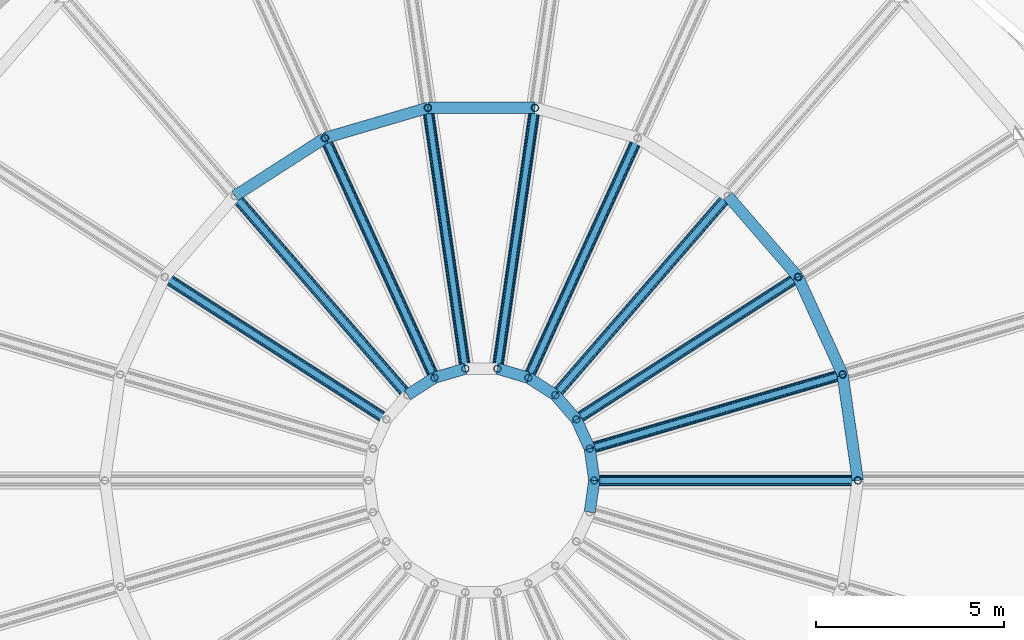
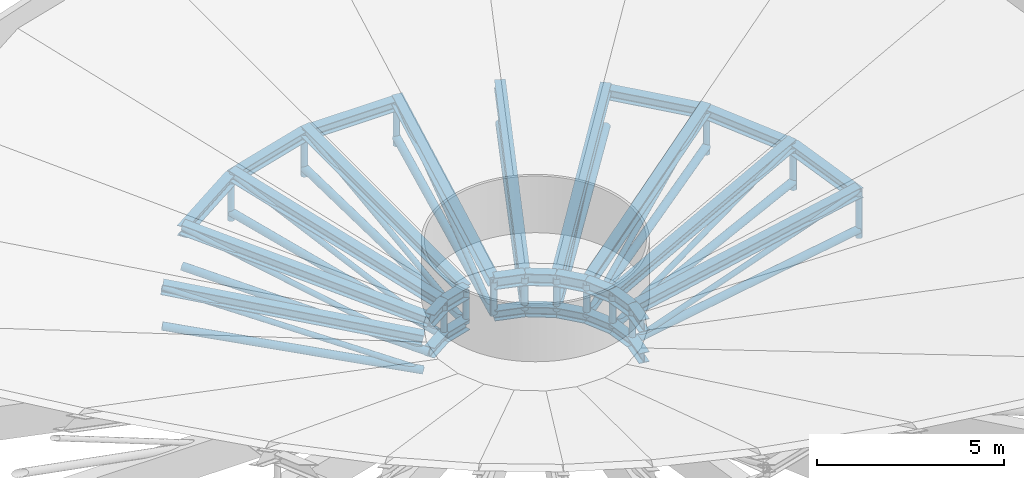
# One storey, part 8 of 69: 44 members, 22 beams.
"""IFC4 building model written with IfcOpenShell, lengths in metres."""

import ifcopenshell
import ifcopenshell.guid

model = None  # the IFC model being written
_history = None  # IfcOwnerHistory: only IFC2X3 demands one
_inside = {}  # id of a spatial element -> (the spatial element, [elements in it])
_under = {}  # id of a project, library or spatial element -> (it, [spatial elements below it])
_declared = {}  # id of a project -> (the project, [libraries it declares])
_typed = {}  # id of a type object -> (the type object, [elements of that type])
_made_of = {}  # id of a material, layer set ... -> (it, [elements and type objects made of it])


def new_model(schema):
    """Start an empty IFC model of exactly this schema.

    Asked for "IFC4X3", IfcOpenShell would pick the latest addendum, in which some entities
    have other attributes; the version numbers below select the first issue.
    IFC2X3 requires an IfcOwnerHistory on every rooted entity: one is made here for all.
    """
    global model, _history
    if schema == "IFC4X3":
        model = ifcopenshell.file(schema_version=(4, 3, 0, 0))
    else:
        model = ifcopenshell.file(schema=schema)
    _inside.clear()
    _under.clear()
    _declared.clear()
    _typed.clear()
    _made_of.clear()
    _history = None
    if model.schema == "IFC2X3":
        org = make("IfcOrganization", Name="unknown")
        user = make(
            "IfcPersonAndOrganization",
            ThePerson=make("IfcPerson", FamilyName="unknown"),
            TheOrganization=org,
        )
        app = make(
            "IfcApplication",
            ApplicationDeveloper=org,
            Version="unknown",
            ApplicationFullName="unknown",
            ApplicationIdentifier="unknown",
        )
        _history = make(
            "IfcOwnerHistory",
            OwningUser=user,
            OwningApplication=app,
            ChangeAction="ADDED",
            CreationDate=0,
        )
    return model


def make(cls, **values):
    """One entity of the class cls with the attributes given. An attribute that is None is left unset."""
    return model.create_entity(
        cls, **{name: value for name, value in values.items() if value is not None}
    )


def rooted(cls, **values):
    """An entity with a GlobalId (a new one), such as an element, a storey or a relation."""
    return make(cls, GlobalId=ifcopenshell.guid.new(), OwnerHistory=_history, **values)


def si_unit(unit_type, name, prefix=None):
    """IfcSIUnit, for example si_unit("LENGTHUNIT", "METRE", prefix="MILLI")."""
    return make("IfcSIUnit", UnitType=unit_type, Prefix=prefix, Name=name)


def assignment(units):
    """IfcUnitAssignment: the units of a project."""
    return None if units is None else make("IfcUnitAssignment", Units=units)


def point(xyz):
    """IfcCartesianPoint."""
    return None if xyz is None else make("IfcCartesianPoint", Coordinates=xyz)


def direction(xyz):
    """IfcDirection."""
    return None if xyz is None else make("IfcDirection", DirectionRatios=xyz)


def frame(location, z_axis=None, x_axis=None):
    """IfcAxis2Placement3D, a coordinate frame: its origin and axes. An axis left out is left unset."""
    return make(
        "IfcAxis2Placement3D",
        Location=point(location),
        Axis=direction(z_axis),
        RefDirection=direction(x_axis),
    )


def frame_2d(location, x_axis=None):
    """IfcAxis2Placement2D, a coordinate frame in the plane: its origin and x axis."""
    return make(
        "IfcAxis2Placement2D", Location=point(location), RefDirection=direction(x_axis)
    )


def origin():
    """The frame at (0, 0, 0) with its axes left unset."""
    return frame((0.0, 0.0, 0.0))


def origin_2d():
    """The frame at (0, 0) in the plane with its x axis left unset."""
    return frame_2d((0.0, 0.0))


def place(relative_to, where):
    """IfcLocalPlacement: puts the frame where relative to a parent placement (None: the world)."""
    return make(
        "IfcLocalPlacement", PlacementRelTo=relative_to, RelativePlacement=where
    )


def context(
    kind, dimensions, precision=None, world=None, true_north=None, identifier=None
):
    """IfcGeometricRepresentationContext, for example the 3D "Model" context."""
    return make(
        "IfcGeometricRepresentationContext",
        ContextIdentifier=identifier,
        ContextType=kind,
        CoordinateSpaceDimension=dimensions,
        Precision=precision,
        WorldCoordinateSystem=world,
        TrueNorth=true_north,
    )


def subcontext(parent, identifier, kind, view, scale=None):
    """IfcGeometricRepresentationSubContext, for example "Body" below "Model"."""
    return make(
        "IfcGeometricRepresentationSubContext",
        ContextIdentifier=identifier,
        ContextType=kind,
        ParentContext=parent,
        TargetScale=scale,
        TargetView=view,
    )


def project(units=None, contexts=None):
    """IfcProject with its units and contexts."""
    return rooted(
        "IfcProject",
        Name="project",
        RepresentationContexts=contexts,
        UnitsInContext=assignment(units),
    )


def spatial(cls, under=None, at=None, **own):
    """A site, building, storey or space (cls), placed at a placement, below another one or the project."""
    s = rooted(cls, ObjectPlacement=at, **own)
    if under is not None:
        _under.setdefault(under.id(), (under, []))[1].append(s)
    return s


def profile(cls, at=None, kind="AREA", **sizes):
    """A parametric profile (cls). Its sizes go by their IFC names, for example OverallWidth=200.0."""
    return make(cls, ProfileType=kind, Position=at, **sizes)


def hollow_circle(**sizes):
    """IfcCircleHollowProfileDef."""
    return profile("IfcCircleHollowProfileDef", **sizes)


def i_section(**sizes):
    """IfcIShapeProfileDef."""
    return profile("IfcIShapeProfileDef", **sizes)


def extrude(swept, where, along, depth):
    """IfcExtrudedAreaSolid: the profile swept, set in the frame where, extruded along a direction by depth."""
    return make(
        "IfcExtrudedAreaSolid",
        SweptArea=swept,
        Position=where,
        ExtrudedDirection=direction(along),
        Depth=depth,
    )


def shape(context_of_items, identifier, shape_type, items):
    """IfcShapeRepresentation: the items that make up one representation, for example the "Body"."""
    return make(
        "IfcShapeRepresentation",
        ContextOfItems=context_of_items,
        RepresentationIdentifier=identifier,
        RepresentationType=shape_type,
        Items=items,
    )


def material(Name=None, Category=None):
    """IfcMaterial."""
    return make("IfcMaterial", Name=Name, Category=Category)


def material_profile(
    of_material, cross_section, Name=None, Category=None, Priority=None
):
    """IfcMaterialProfile: a cross section and its material."""
    return make(
        "IfcMaterialProfile",
        Name=Name,
        Material=of_material,
        Profile=cross_section,
        Priority=Priority,
        Category=Category,
    )


def profile_set(profiles, Name=None, composite=None):
    """IfcMaterialProfileSet."""
    return make(
        "IfcMaterialProfileSet",
        Name=Name,
        MaterialProfiles=profiles,
        CompositeProfile=composite,
    )


def made_of(thing, what):
    """Note that an element or type object is made of a material, layer set ...; save() writes the relation."""
    if what is not None:
        _made_of.setdefault(what.id(), (what, []))[1].append(thing)
    return thing


def type_object(cls, material=None, **own):
    """A type object (cls), such as IfcWallType, which elements share."""
    return made_of(rooted(cls, **own), material)


def element(
    cls,
    number,
    at=None,
    inside=None,
    cuts=None,
    type_object=None,
    material=None,
    context=None,
    identifier="Body",
    shape_type=None,
    held_by="IfcProductDefinitionShape",
    body=None,
    shapes=None,
    **own,
):
    """One element of the class cls, such as IfcWall. Its Tag is "e" and its number.

    at: its placement. inside: the storey or other place that contains it. cuts: it is an
    opening in that element (IfcRelVoidsElement). A single representation is given by context,
    identifier, shape_type and body (its items); several are given by shapes. held_by: the class
    of the entity that holds the representations. save() writes the other relations.
    """
    e = rooted(cls, Tag="e%d" % number, ObjectPlacement=at, **own)
    if body is not None:
        shapes = [shape(context, identifier, shape_type, body)]
    if shapes is not None:
        e.Representation = make(held_by, Representations=shapes)
    if inside is not None:
        _inside.setdefault(inside.id(), (inside, []))[1].append(e)
    if cuts is not None:
        rooted(
            "IfcRelVoidsElement", RelatingBuildingElement=cuts, RelatedOpeningElement=e
        )
    if type_object is not None:
        _typed.setdefault(type_object.id(), (type_object, []))[1].append(e)
    return made_of(e, material)


def aggregate(whole, parts):
    """IfcRelAggregates: a whole, such as a stair, and the parts it consists of."""
    return rooted("IfcRelAggregates", RelatingObject=whole, RelatedObjects=parts)


def save(model, path):
    """Write the relations noted so far, then the file.

    IfcRelAggregates (storeys below a building ...), IfcRelContainedInSpatialStructure (elements
    in a storey), IfcRelDefinesByType, IfcRelAssociatesMaterial and IfcRelDeclares: one each for
    every whole, place, type object, material and project.
    """
    for whole, parts in _under.values():
        aggregate(whole, parts)
    for where, things in _inside.values():
        rooted(
            "IfcRelContainedInSpatialStructure",
            RelatedElements=things,
            RelatingStructure=where,
        )
    for kind, things in _typed.values():
        rooted("IfcRelDefinesByType", RelatedObjects=things, RelatingType=kind)
    for what, things in _made_of.values():
        rooted("IfcRelAssociatesMaterial", RelatedObjects=things, RelatingMaterial=what)
    for by, libraries in _declared.values():
        rooted("IfcRelDeclares", RelatingContext=by, RelatedDefinitions=libraries)
    model.write(path)


model = new_model("IFC4")

# Units and contexts
model_context = context("Model", 3, precision=1e-05, world=origin(), true_north=direction((0.0, 1.0)))
body_context = subcontext(model_context, "Body", "Model", "MODEL_VIEW")
ifc_project = project(units=[si_unit("LENGTHUNIT", "METRE"), si_unit("AREAUNIT", "SQUARE_METRE"), si_unit("VOLUMEUNIT", "CUBIC_METRE"), si_unit("PLANEANGLEUNIT", "RADIAN"), si_unit("MASSUNIT", "GRAM", prefix="KILO")], contexts=[model_context])

# Site, building, storey
site_placement = place(None, origin())
site = spatial("IfcSite", under=ifc_project, at=site_placement, CompositionType="ELEMENT")
building_placement = place(site_placement, origin())
building = spatial("IfcBuilding", under=site, at=building_placement, Name="Pelvatis Terrace Science Centre", CompositionType="ELEMENT")
storey_placement = place(building_placement, frame((0.0, 0.0, 15.0)))
storey = spatial("IfcBuildingStorey", under=building, at=storey_placement, Name="L03", CompositionType="ELEMENT", Elevation=15.0)

# Beams
ifc_material_1 = material(Name="Structural steel S355", Category="steel")
ifc_material_profile_1 = material_profile(ifc_material_1, i_section(OverallWidth=0.300048828125, OverallDepth=0.330078125, WebThickness=0.009521484375, FlangeThickness=0.0166015625, FilletRadius=0.027099609375, at=origin_2d()), Name="HEA 340")
ifc_profile_set_1 = profile_set([ifc_material_profile_1], Name="Structural steel S355")
beam_type_1 = type_object("IfcBeamType", Name="BM-STL-HEA340", PredefinedType="BEAM", material=ifc_profile_set_1)
beam_1_placement = place(storey_placement, frame((88.0, 54.60009765625, -0.179931640625), z_axis=(-0.142309986086, 0.989822139508, 0.0), x_axis=(-0.989822139508, -0.142309986086, 0.0)))
element("IfcBeam", 1, at=beam_1_placement, inside=storey, type_object=beam_type_1, Name="Bowl roof circumferential mid member 01", PredefinedType="BEAM", context=body_context, shape_type="SweptSolid", body=[
    extrude(i_section(OverallWidth=0.300048828125, OverallDepth=0.330078125, WebThickness=0.009521484375, FlangeThickness=0.0166015625, FilletRadius=0.027099609375, at=origin_2d()), origin(), (0.0, 0.0, 1.0), 2.84619140625),
])
beam_2_placement = place(storey_placement, frame((81.0, 54.60009765625, -2.5), z_axis=(-0.142381938877, 0.989811791949, 0.0), x_axis=(-0.989811791949, -0.142381938877, 0.0)))
element("IfcBeam", 2, at=beam_2_placement, inside=storey, type_object=beam_type_1, Name="Bowl roof circumferential bot member 01", PredefinedType="BEAM", context=body_context, shape_type="SweptSolid", body=[
    extrude(i_section(OverallWidth=0.300048828125, OverallDepth=0.330078125, WebThickness=0.009521484375, FlangeThickness=0.0166015625, FilletRadius=0.027099609375, at=origin_2d()), origin(), (0.0, 0.0, 1.0), 0.85400390625),
])
beam_3_placement = place(storey_placement, frame((87.594970703125, 57.417236328125, -0.179931640625), z_axis=(-0.415404990183, 0.909636572556, 0.0), x_axis=(-0.909636572556, -0.415404990183, 0.0)))
element("IfcBeam", 3, at=beam_3_placement, inside=storey, type_object=beam_type_1, Name="Bowl roof circumferential mid member 02", PredefinedType="BEAM", context=body_context, shape_type="SweptSolid", body=[
    extrude(i_section(OverallWidth=0.300048828125, OverallDepth=0.330078125, WebThickness=0.009521484375, FlangeThickness=0.0166015625, FilletRadius=0.027099609375, at=origin_2d()), origin(), (0.0, 0.0, 1.0), 2.846435546875),
])
beam_4_placement = place(storey_placement, frame((80.87841796875, 55.4453125, -2.5), z_axis=(-0.415482674393, 0.909601092391, 0.0), x_axis=(-0.909601092391, -0.415482674393, 0.0)))
element("IfcBeam", 4, at=beam_4_placement, inside=storey, type_object=beam_type_1, Name="Bowl roof circumferential bot member 02", PredefinedType="BEAM", context=body_context, shape_type="SweptSolid", body=[
    extrude(i_section(OverallWidth=0.300048828125, OverallDepth=0.330078125, WebThickness=0.009521484375, FlangeThickness=0.0166015625, FilletRadius=0.027099609375, at=origin_2d()), origin(), (0.0, 0.0, 1.0), 0.853759765625),
])
beam_5_placement = place(storey_placement, frame((86.41259765625, 60.00634765625, -0.179931640625), z_axis=(-0.654871758442, 0.755740021432, 0.0), x_axis=(-0.755740021432, -0.654871758442, 0.0)))
element("IfcBeam", 5, at=beam_5_placement, inside=storey, type_object=beam_type_1, Name="Bowl roof circumferential mid member 03", PredefinedType="BEAM", context=body_context, shape_type="SweptSolid", body=[
    extrude(i_section(OverallWidth=0.300048828125, OverallDepth=0.330078125, WebThickness=0.009521484375, FlangeThickness=0.0166015625, FilletRadius=0.027099609375, at=origin_2d()), origin(), (0.0, 0.0, 1.0), 2.846435546875),
])
beam_6_placement = place(storey_placement, frame((80.523681640625, 56.221923828125, -2.5), z_axis=(-0.654832554066, 0.755773991439, 0.0), x_axis=(-0.755773991439, -0.654832554066, 0.0)))
element("IfcBeam", 6, at=beam_6_placement, inside=storey, type_object=beam_type_1, Name="Bowl roof circumferential bot member 03", PredefinedType="BEAM", context=body_context, shape_type="SweptSolid", body=[
    extrude(i_section(OverallWidth=0.300048828125, OverallDepth=0.330078125, WebThickness=0.009521484375, FlangeThickness=0.0166015625, FilletRadius=0.027099609375, at=origin_2d()), origin(), (0.0, 0.0, 1.0), 0.853759765625),
])
beam_7_placement = place(storey_placement, frame((79.964599609375, 56.8671875, -2.5), z_axis=(-0.841299198615, 0.54056975351, 0.0), x_axis=(-0.54056975351, -0.841299198615, 0.0)))
element("IfcBeam", 7, at=beam_7_placement, inside=storey, type_object=beam_type_1, Name="Bowl roof circumferential bot member 04", PredefinedType="BEAM", context=body_context, shape_type="SweptSolid", body=[
    extrude(i_section(OverallWidth=0.300048828125, OverallDepth=0.330078125, WebThickness=0.009521484375, FlangeThickness=0.0166015625, FilletRadius=0.027099609375, at=origin_2d()), origin(), (0.0, 0.0, 1.0), 0.85400390625),
])
beam_8_placement = place(storey_placement, frame((79.24609375, 57.328857421875, -2.5), z_axis=(-0.959424677782, 0.281965046883, 0.0), x_axis=(-0.281965046883, -0.959424677782, 0.0)))
element("IfcBeam", 8, at=beam_8_placement, inside=storey, type_object=beam_type_1, Name="Bowl roof circumferential bot member 05", PredefinedType="BEAM", context=body_context, shape_type="SweptSolid", body=[
    extrude(i_section(OverallWidth=0.300048828125, OverallDepth=0.330078125, WebThickness=0.009521484375, FlangeThickness=0.0166015625, FilletRadius=0.027099609375, at=origin_2d()), origin(), (0.0, 0.0, 1.0), 0.853759765625),
])
beam_9_placement = place(storey_placement, frame((79.423095703125, 64.498291015625, -0.179931640625), z_axis=(-1.0, 0.0, 0.0), x_axis=(0.0, -1.0, 0.0)))
element("IfcBeam", 9, at=beam_9_placement, inside=storey, type_object=beam_type_1, Name="Bowl roof circumferential mid member 06", PredefinedType="BEAM", context=body_context, shape_type="SweptSolid", body=[
    extrude(i_section(OverallWidth=0.300048828125, OverallDepth=0.330078125, WebThickness=0.009521484375, FlangeThickness=0.0166015625, FilletRadius=0.027099609375, at=origin_2d()), origin(), (0.0, 0.0, 1.0), 2.84619140625),
])
beam_10_placement = place(storey_placement, frame((76.576904296875, 64.498291015625, -0.179931640625), z_axis=(-0.959488326689, -0.281748382334, 0.0), x_axis=(0.281748382334, -0.959488326689, 0.0)))
element("IfcBeam", 10, at=beam_10_placement, inside=storey, type_object=beam_type_1, Name="Bowl roof circumferential mid member 07", PredefinedType="BEAM", context=body_context, shape_type="SweptSolid", body=[
    extrude(i_section(OverallWidth=0.300048828125, OverallDepth=0.330078125, WebThickness=0.009521484375, FlangeThickness=0.0166015625, FilletRadius=0.027099609375, at=origin_2d()), origin(), (0.0, 0.0, 1.0), 2.846435546875),
])
beam_11_placement = place(storey_placement, frame((77.572998046875, 57.569580078125, -2.5), z_axis=(-0.959424677782, -0.281965046883, 0.0), x_axis=(0.281965046883, -0.959424677782, 0.0)))
element("IfcBeam", 11, at=beam_11_placement, inside=storey, type_object=beam_type_1, Name="Bowl roof circumferential bot member 07", PredefinedType="BEAM", context=body_context, shape_type="SweptSolid", body=[
    extrude(i_section(OverallWidth=0.300048828125, OverallDepth=0.330078125, WebThickness=0.009521484375, FlangeThickness=0.0166015625, FilletRadius=0.027099609375, at=origin_2d()), origin(), (0.0, 0.0, 1.0), 0.853759765625),
])
beam_12_placement = place(storey_placement, frame((73.845703125, 63.6962890625, -0.179931640625), z_axis=(-0.841236998523, -0.540666544477, 0.0), x_axis=(0.540666544477, -0.841236998523, 0.0)))
element("IfcBeam", 12, at=beam_12_placement, inside=storey, type_object=beam_type_1, Name="Bowl roof circumferential mid member 08", PredefinedType="BEAM", context=body_context, shape_type="SweptSolid", body=[
    extrude(i_section(OverallWidth=0.300048828125, OverallDepth=0.330078125, WebThickness=0.009521484375, FlangeThickness=0.0166015625, FilletRadius=0.027099609375, at=origin_2d()), origin(), (0.0, 0.0, 1.0), 2.84619140625),
])
for number, where, z_axis, x_axis, name in (
    (13, (76.75390625, 57.328857421875, -2.5), (-0.841299198615, -0.54056975351, 0.0), (0.54056975351, -0.841299198615, 0.0), "Bowl roof circumferential bot member 08"),
    (14, (80.87841796875, 53.7548828125, -2.5), (0.142381938877, 0.989811791949, 0.0), (-0.989811791949, 0.142381938877, 0.0), "Bowl roof circumferential bot member 22"),
):
    element("IfcBeam", number, at=place(storey_placement, frame(where, z_axis=z_axis, x_axis=x_axis)), inside=storey, type_object=beam_type_1, Name=name, PredefinedType="BEAM", context=body_context, shape_type="SweptSolid", body=[
        extrude(i_section(OverallWidth=0.300048828125, OverallDepth=0.330078125, WebThickness=0.009521484375, FlangeThickness=0.0166015625, FilletRadius=0.027099609375, at=origin_2d()), origin(), (0.0, 0.0, 1.0), 0.85400390625),
    ])
ifc_material_2 = material(Name="Structural steel S355", Category="steel")
ifc_material_profile_2 = material_profile(ifc_material_2, i_section(OverallWidth=0.300048828125, OverallDepth=0.389892578125, WebThickness=0.010986328125, FlangeThickness=0.01904296875, FilletRadius=0.027099609375, at=origin_2d()), Name="HEA 400")
ifc_profile_set_2 = profile_set([ifc_material_profile_2], Name="Structural steel S355")
beam_type_2 = type_object("IfcBeamType", Name="BM-STL-HEA400", PredefinedType="BEAM", material=ifc_profile_set_2)
beam_13_placement = place(storey_placement, frame((81.0, 54.60009765625, -1.449951171875), z_axis=(-0.142381938877, 0.989811791949, 0.0), x_axis=(-0.989811791949, -0.142381938877, 0.0)))
element("IfcBeam", 15, at=beam_13_placement, inside=storey, type_object=beam_type_2, Name="Bowl roof circumferential top member 01", PredefinedType="BEAM", context=body_context, shape_type="SweptSolid", body=[
    extrude(i_section(OverallWidth=0.300048828125, OverallDepth=0.389892578125, WebThickness=0.010986328125, FlangeThickness=0.01904296875, FilletRadius=0.027099609375, at=origin_2d()), origin(), (0.0, 0.0, 1.0), 0.85400390625),
])
for number, where, z_axis, x_axis, name in (
    (16, (80.87841796875, 55.4453125, -1.449951171875), (-0.415482674393, 0.909601092391, 0.0), (-0.909601092391, -0.415482674393, 0.0), "Bowl roof circumferential top member 02"),
    (17, (80.523681640625, 56.221923828125, -1.449951171875), (-0.654832554066, 0.755773991439, 0.0), (-0.755773991439, -0.654832554066, 0.0), "Bowl roof circumferential top member 03"),
):
    element("IfcBeam", number, at=place(storey_placement, frame(where, z_axis=z_axis, x_axis=x_axis)), inside=storey, type_object=beam_type_2, Name=name, PredefinedType="BEAM", context=body_context, shape_type="SweptSolid", body=[
        extrude(i_section(OverallWidth=0.300048828125, OverallDepth=0.389892578125, WebThickness=0.010986328125, FlangeThickness=0.01904296875, FilletRadius=0.027099609375, at=origin_2d()), origin(), (0.0, 0.0, 1.0), 0.853759765625),
    ])
beam_14_placement = place(storey_placement, frame((79.964599609375, 56.8671875, -1.449951171875), z_axis=(-0.841299198615, 0.54056975351, 0.0), x_axis=(-0.54056975351, -0.841299198615, 0.0)))
element("IfcBeam", 18, at=beam_14_placement, inside=storey, type_object=beam_type_2, Name="Bowl roof circumferential top member 04", PredefinedType="BEAM", context=body_context, shape_type="SweptSolid", body=[
    extrude(i_section(OverallWidth=0.300048828125, OverallDepth=0.389892578125, WebThickness=0.010986328125, FlangeThickness=0.01904296875, FilletRadius=0.027099609375, at=origin_2d()), origin(), (0.0, 0.0, 1.0), 0.85400390625),
])
for number, where, z_axis, x_axis, name in (
    (19, (79.24609375, 57.328857421875, -1.449951171875), (-0.959424677782, 0.281965046883, 0.0), (-0.281965046883, -0.959424677782, 0.0), "Bowl roof circumferential top member 05"),
    (20, (77.572998046875, 57.569580078125, -1.449951171875), (-0.959424677782, -0.281965046883, 0.0), (0.281965046883, -0.959424677782, 0.0), "Bowl roof circumferential top member 07"),
):
    element("IfcBeam", number, at=place(storey_placement, frame(where, z_axis=z_axis, x_axis=x_axis)), inside=storey, type_object=beam_type_2, Name=name, PredefinedType="BEAM", context=body_context, shape_type="SweptSolid", body=[
        extrude(i_section(OverallWidth=0.300048828125, OverallDepth=0.389892578125, WebThickness=0.010986328125, FlangeThickness=0.01904296875, FilletRadius=0.027099609375, at=origin_2d()), origin(), (0.0, 0.0, 1.0), 0.853759765625),
    ])
for number, where, z_axis, x_axis, name in (
    (21, (76.75390625, 57.328857421875, -1.449951171875), (-0.841299198615, -0.54056975351, 0.0), (0.54056975351, -0.841299198615, 0.0), "Bowl roof circumferential top member 08"),
    (22, (80.87841796875, 53.7548828125, -1.449951171875), (0.142381938877, 0.989811791949, 0.0), (-0.989811791949, 0.142381938877, 0.0), "Bowl roof circumferential top member 22"),
):
    element("IfcBeam", number, at=place(storey_placement, frame(where, z_axis=z_axis, x_axis=x_axis)), inside=storey, type_object=beam_type_2, Name=name, PredefinedType="BEAM", context=body_context, shape_type="SweptSolid", body=[
        extrude(i_section(OverallWidth=0.300048828125, OverallDepth=0.389892578125, WebThickness=0.010986328125, FlangeThickness=0.01904296875, FilletRadius=0.027099609375, at=origin_2d()), origin(), (0.0, 0.0, 1.0), 0.85400390625),
    ])

# Members
ifc_material_3 = material(Name="Structural steel S355", Category="steel")
ifc_material_profile_3 = material_profile(ifc_material_3, hollow_circle(Radius=0.084228515625, WallThickness=0.00634765625, at=origin_2d()), Name="CHS 168.3x6.3")
ifc_profile_set_3 = profile_set([ifc_material_profile_3], Name="Structural steel S355")
member_type_1 = type_object("IfcMemberType", Name="MEM-BRC-CHS168", PredefinedType="BRACE", material=ifc_profile_set_3)
for number, where, z_axis, x_axis, name in (
    (23, (88.0, 54.60009765625, -0.02001953125), (-0.942592734953, 0.0, -0.333944510381), (0.0, -1.0, 0.0), "Bowl truss web brace 01.4"),
    (24, (87.594970703125, 57.417236328125, -0.02001953125), (-0.90442020385, -0.265530223783, -0.333942802178), (0.281701782175, -0.959502009336, 0.0), "Bowl truss web brace 02.4"),
):
    element("IfcMember", number, at=place(storey_placement, frame(where, z_axis=z_axis, x_axis=x_axis)), inside=storey, type_object=member_type_1, Name=name, PredefinedType="BRACE", context=body_context, shape_type="SweptSolid", body=[
        extrude(hollow_circle(Radius=0.084228515625, WallThickness=0.00634765625, at=origin_2d()), origin(), (0.0, 0.0, 1.0), 7.42626953125),
    ])
member_1_placement = place(storey_placement, frame((86.41259765625, 60.00634765625, -0.02001953125), z_axis=(-0.79296989833, -0.509590248912, -0.33394089081), x_axis=(0.540625380133, -0.841263453596, 0.0)))
element("IfcMember", 25, at=member_1_placement, inside=storey, type_object=member_type_1, Name="Bowl truss web brace 03.4", PredefinedType="BRACE", context=body_context, shape_type="SweptSolid", body=[
    extrude(hollow_circle(Radius=0.084228515625, WallThickness=0.00634765625, at=origin_2d()), origin(), (0.0, 0.0, 1.0), 7.426513671875),
])
member_2_placement = place(storey_placement, frame((84.548583984375, 62.157470703125, -0.02001953125), z_axis=(-0.617261430253, -0.712368871546, -0.333944482771), x_axis=(0.755754672976, -0.654854849776, 0.0)))
element("IfcMember", 26, at=member_2_placement, inside=storey, type_object=member_type_1, Name="Bowl truss web brace 04.4", PredefinedType="BRACE", context=body_context, shape_type="SweptSolid", body=[
    extrude(hollow_circle(Radius=0.084228515625, WallThickness=0.00634765625, at=origin_2d()), origin(), (0.0, 0.0, 1.0), 7.42626953125),
])
member_3_placement = place(storey_placement, frame((82.154296875, 63.6962890625, -0.02001953125), z_axis=(-0.391600804381, -0.857399309862, -0.333938966664), x_axis=(0.909616095646, -0.415449826745, 0.0)))
element("IfcMember", 27, at=member_3_placement, inside=storey, type_object=member_type_1, Name="Bowl truss web brace 05.4", PredefinedType="BRACE", context=body_context, shape_type="SweptSolid", body=[
    extrude(hollow_circle(Radius=0.084228515625, WallThickness=0.00634765625, at=origin_2d()), origin(), (0.0, 0.0, 1.0), 7.426513671875),
])
for number, where, z_axis, x_axis, name in (
    (28, (79.423095703125, 64.498291015625, -0.02001953125), (-0.134131031199, -0.932999672899, -0.333946817382), (0.989823544484, -0.142300213583, 0.0), "Bowl truss web brace 06.4"),
    (29, (76.576904296875, 64.498291015625, -0.02001953125), (0.134131031199, -0.932999672899, -0.333946817382), (0.989823544484, 0.142300213583, 0.0), "Bowl truss web brace 07.4"),
):
    element("IfcMember", number, at=place(storey_placement, frame(where, z_axis=z_axis, x_axis=x_axis)), inside=storey, type_object=member_type_1, Name=name, PredefinedType="BRACE", context=body_context, shape_type="SweptSolid", body=[
        extrude(hollow_circle(Radius=0.084228515625, WallThickness=0.00634765625, at=origin_2d()), origin(), (0.0, 0.0, 1.0), 7.42626953125),
    ])
member_4_placement = place(storey_placement, frame((73.845703125, 63.6962890625, -0.02001953125), z_axis=(0.391600804381, -0.857399309862, -0.333938966664), x_axis=(0.909616095646, 0.415449826745, 0.0)))
element("IfcMember", 30, at=member_4_placement, inside=storey, type_object=member_type_1, Name="Bowl truss web brace 08.4", PredefinedType="BRACE", context=body_context, shape_type="SweptSolid", body=[
    extrude(hollow_circle(Radius=0.084228515625, WallThickness=0.00634765625, at=origin_2d()), origin(), (0.0, 0.0, 1.0), 7.426513671875),
])
member_5_placement = place(storey_placement, frame((71.451416015625, 62.157470703125, -0.02001953125), z_axis=(0.617261430253, -0.712368871546, -0.333944482771), x_axis=(0.755754672976, 0.654854849776, 0.0)))
element("IfcMember", 31, at=member_5_placement, inside=storey, type_object=member_type_1, Name="Bowl truss web brace 09.4", PredefinedType="BRACE", context=body_context, shape_type="SweptSolid", body=[
    extrude(hollow_circle(Radius=0.084228515625, WallThickness=0.00634765625, at=origin_2d()), origin(), (0.0, 0.0, 1.0), 7.42626953125),
])
member_6_placement = place(storey_placement, frame((69.58740234375, 60.00634765625, -0.02001953125), z_axis=(0.79296989833, -0.509590248912, -0.33394089081), x_axis=(0.540625380133, 0.841263453596, 0.0)))
element("IfcMember", 32, at=member_6_placement, inside=storey, type_object=member_type_1, Name="Bowl truss web brace 10.4", PredefinedType="BRACE", context=body_context, shape_type="SweptSolid", body=[
    extrude(hollow_circle(Radius=0.084228515625, WallThickness=0.00634765625, at=origin_2d()), origin(), (0.0, 0.0, 1.0), 7.426513671875),
])
ifc_material_4 = material(Name="Structural steel S355", Category="steel")
ifc_material_profile_4 = material_profile(ifc_material_4, hollow_circle(Radius=0.122314453125, WallThickness=0.010009765625, at=origin_2d()), Name="CHS 244.5x10.0")
ifc_profile_set_4 = profile_set([ifc_material_profile_4], Name="Structural steel S355")
member_type_2 = type_object("IfcMemberType", Name="MEM-CHD-CHS244", PredefinedType="CHORD", material=ifc_profile_set_4)
for number, where, z_axis, x_axis, name in (
    (33, (88.0, 54.60009765625, -1.300048828125), (-0.985623399742, 0.0, -0.168957136221), (0.0, -1.0, 0.0), "Bowl truss inner bottom chord 01"),
    (34, (87.594970703125, 57.417236328125, -1.300048828125), (-0.945707787928, -0.277651913892, -0.168956191257), (0.281701782175, -0.959502009336, 0.0), "Bowl truss inner bottom chord 02"),
):
    element("IfcMember", number, at=place(storey_placement, frame(where, z_axis=z_axis, x_axis=x_axis)), inside=storey, type_object=member_type_2, Name=name, PredefinedType="CHORD", context=body_context, shape_type="SweptSolid", body=[
        extrude(hollow_circle(Radius=0.122314453125, WallThickness=0.010009765625, at=origin_2d()), origin(), (0.0, 0.0, 1.0), 7.10205078125),
    ])
member_7_placement = place(storey_placement, frame((86.41259765625, 60.00634765625, -1.300048828125), z_axis=(-0.829169233966, -0.532853210717, -0.168955133906), x_axis=(0.540625380133, -0.841263453596, 0.0)))
element("IfcMember", 35, at=member_7_placement, inside=storey, type_object=member_type_2, Name="Bowl truss inner bottom chord 03", PredefinedType="CHORD", context=body_context, shape_type="SweptSolid", body=[
    extrude(hollow_circle(Radius=0.122314453125, WallThickness=0.010009765625, at=origin_2d()), origin(), (0.0, 0.0, 1.0), 7.102294921875),
])
member_8_placement = place(storey_placement, frame((84.548583984375, 62.157470703125, -1.300048828125), z_axis=(-0.645440265089, -0.744889492129, -0.168957120948), x_axis=(0.755754672976, -0.654854849776, 0.0)))
element("IfcMember", 36, at=member_8_placement, inside=storey, type_object=member_type_2, Name="Bowl truss inner bottom chord 04", PredefinedType="CHORD", context=body_context, shape_type="SweptSolid", body=[
    extrude(hollow_circle(Radius=0.122314453125, WallThickness=0.010009765625, at=origin_2d()), origin(), (0.0, 0.0, 1.0), 7.10205078125),
])
member_9_placement = place(storey_placement, frame((82.154296875, 63.6962890625, -1.300048828125), z_axis=(-0.40947728906, -0.896539386836, -0.168954069487), x_axis=(0.909616095646, -0.415449826745, 0.0)))
element("IfcMember", 37, at=member_9_placement, inside=storey, type_object=member_type_2, Name="Bowl truss inner bottom chord 05", PredefinedType="CHORD", context=body_context, shape_type="SweptSolid", body=[
    extrude(hollow_circle(Radius=0.122314453125, WallThickness=0.010009765625, at=origin_2d()), origin(), (0.0, 0.0, 1.0), 7.102294921875),
])
for number, where, z_axis, x_axis, name in (
    (38, (79.423095703125, 64.498291015625, -1.300048828125), (-0.140254389165, -0.975593030514, -0.168958412437), (0.989823544484, -0.142300213583, 0.0), "Bowl truss inner bottom chord 06"),
    (39, (76.576904296875, 64.498291015625, -1.300048828125), (0.140254389165, -0.975593030514, -0.168958412437), (0.989823544484, 0.142300213583, 0.0), "Bowl truss inner bottom chord 07"),
):
    element("IfcMember", number, at=place(storey_placement, frame(where, z_axis=z_axis, x_axis=x_axis)), inside=storey, type_object=member_type_2, Name=name, PredefinedType="CHORD", context=body_context, shape_type="SweptSolid", body=[
        extrude(hollow_circle(Radius=0.122314453125, WallThickness=0.010009765625, at=origin_2d()), origin(), (0.0, 0.0, 1.0), 7.10205078125),
    ])
member_10_placement = place(storey_placement, frame((73.845703125, 63.6962890625, -1.300048828125), z_axis=(0.40947728906, -0.896539386836, -0.168954069487), x_axis=(0.909616095646, 0.415449826745, 0.0)))
element("IfcMember", 40, at=member_10_placement, inside=storey, type_object=member_type_2, Name="Bowl truss inner bottom chord 08", PredefinedType="CHORD", context=body_context, shape_type="SweptSolid", body=[
    extrude(hollow_circle(Radius=0.122314453125, WallThickness=0.010009765625, at=origin_2d()), origin(), (0.0, 0.0, 1.0), 7.102294921875),
])
member_11_placement = place(storey_placement, frame((71.451416015625, 62.157470703125, -1.300048828125), z_axis=(0.645440265089, -0.744889492129, -0.168957120948), x_axis=(0.755754672976, 0.654854849776, 0.0)))
element("IfcMember", 41, at=member_11_placement, inside=storey, type_object=member_type_2, Name="Bowl truss inner bottom chord 09", PredefinedType="CHORD", context=body_context, shape_type="SweptSolid", body=[
    extrude(hollow_circle(Radius=0.122314453125, WallThickness=0.010009765625, at=origin_2d()), origin(), (0.0, 0.0, 1.0), 7.10205078125),
])
member_12_placement = place(storey_placement, frame((69.58740234375, 60.00634765625, -1.300048828125), z_axis=(0.829169233966, -0.532853210717, -0.168955133906), x_axis=(0.540625380133, 0.841263453596, 0.0)))
element("IfcMember", 42, at=member_12_placement, inside=storey, type_object=member_type_2, Name="Bowl truss inner bottom chord 10", PredefinedType="CHORD", context=body_context, shape_type="SweptSolid", body=[
    extrude(hollow_circle(Radius=0.122314453125, WallThickness=0.010009765625, at=origin_2d()), origin(), (0.0, 0.0, 1.0), 7.102294921875),
])
ifc_material_5 = material(Name="Structural steel S355", Category="steel")
ifc_material_profile_5 = material_profile(ifc_material_5, i_section(OverallWidth=0.300048828125, OverallDepth=0.330078125, WebThickness=0.009521484375, FlangeThickness=0.0166015625, FilletRadius=0.027099609375, at=origin_2d()), Name="HEA 340")
ifc_profile_set_5 = profile_set([ifc_material_profile_5], Name="Structural steel S355")
member_type_3 = type_object("IfcMemberType", Name="MEM-CHD-HEA340", PredefinedType="CHORD", material=ifc_profile_set_5)
for number, where, z_axis, x_axis, name in (
    (43, (88.0, 54.60009765625, -0.02001953125), (-0.979766741319, 0.0, -0.200142780549), (0.0, -1.0, 0.0), "Bowl truss inner top chord 01"),
    (44, (87.594970703125, 57.417236328125, -0.02001953125), (-0.940088373778, -0.276002100796, -0.200141674429), (0.281701782175, -0.959502009336, 0.0), "Bowl truss inner top chord 02"),
    (45, (86.41259765625, 60.00634765625, -0.02001953125), (-0.824242355298, -0.529687025806, -0.200140436756), (0.540625380133, -0.841263453596, 0.0), "Bowl truss inner top chord 03"),
    (46, (84.548583984375, 62.157470703125, -0.02001953125), (-0.641605004593, -0.740463295938, -0.200142762671), (0.755754672976, -0.654854849776, 0.0), "Bowl truss inner top chord 04"),
):
    element("IfcMember", number, at=place(storey_placement, frame(where, z_axis=z_axis, x_axis=x_axis)), inside=storey, type_object=member_type_3, Name=name, PredefinedType="CHORD", context=body_context, shape_type="SweptSolid", body=[
        extrude(i_section(OverallWidth=0.300048828125, OverallDepth=0.330078125, WebThickness=0.009521484375, FlangeThickness=0.0166015625, FilletRadius=0.027099609375, at=origin_2d()), origin(), (0.0, 0.0, 1.0), 7.14453125),
    ])
member_13_placement = place(storey_placement, frame((82.154296875, 63.6962890625, -0.02001953125), z_axis=(-0.407044227577, -0.891212264895, -0.200139190809), x_axis=(0.909616095646, -0.415449826745, 0.0)))
element("IfcMember", 47, at=member_13_placement, inside=storey, type_object=member_type_3, Name="Bowl truss inner top chord 05", PredefinedType="CHORD", context=body_context, shape_type="SweptSolid", body=[
    extrude(i_section(OverallWidth=0.300048828125, OverallDepth=0.330078125, WebThickness=0.009521484375, FlangeThickness=0.0166015625, FilletRadius=0.027099609375, at=origin_2d()), origin(), (0.0, 0.0, 1.0), 7.144775390625),
])
for number, where, z_axis, x_axis, name in (
    (48, (79.423095703125, 64.498291015625, -0.02001953125), (-0.139420973127, -0.969795886603, -0.200144274413), (0.989823544484, -0.142300213583, 0.0), "Bowl truss inner top chord 06"),
    (49, (76.576904296875, 64.498291015625, -0.02001953125), (0.139420973127, -0.969795886603, -0.200144274413), (0.989823544484, 0.142300213583, 0.0), "Bowl truss inner top chord 07"),
):
    element("IfcMember", number, at=place(storey_placement, frame(where, z_axis=z_axis, x_axis=x_axis)), inside=storey, type_object=member_type_3, Name=name, PredefinedType="CHORD", context=body_context, shape_type="SweptSolid", body=[
        extrude(i_section(OverallWidth=0.300048828125, OverallDepth=0.330078125, WebThickness=0.009521484375, FlangeThickness=0.0166015625, FilletRadius=0.027099609375, at=origin_2d()), origin(), (0.0, 0.0, 1.0), 7.14453125),
    ])
member_14_placement = place(storey_placement, frame((73.845703125, 63.6962890625, -0.02001953125), z_axis=(0.407044227577, -0.891212264895, -0.200139190809), x_axis=(0.909616095646, 0.415449826745, 0.0)))
element("IfcMember", 50, at=member_14_placement, inside=storey, type_object=member_type_3, Name="Bowl truss inner top chord 08", PredefinedType="CHORD", context=body_context, shape_type="SweptSolid", body=[
    extrude(i_section(OverallWidth=0.300048828125, OverallDepth=0.330078125, WebThickness=0.009521484375, FlangeThickness=0.0166015625, FilletRadius=0.027099609375, at=origin_2d()), origin(), (0.0, 0.0, 1.0), 7.144775390625),
])
for number, where, z_axis, x_axis, name in (
    (51, (71.451416015625, 62.157470703125, -0.02001953125), (0.641605004593, -0.740463295938, -0.200142762671), (0.755754672976, 0.654854849776, 0.0), "Bowl truss inner top chord 09"),
    (52, (69.58740234375, 60.00634765625, -0.02001953125), (0.824242355298, -0.529687025806, -0.200140436756), (0.540625380133, 0.841263453596, 0.0), "Bowl truss inner top chord 10"),
):
    element("IfcMember", number, at=place(storey_placement, frame(where, z_axis=z_axis, x_axis=x_axis)), inside=storey, type_object=member_type_3, Name=name, PredefinedType="CHORD", context=body_context, shape_type="SweptSolid", body=[
        extrude(i_section(OverallWidth=0.300048828125, OverallDepth=0.330078125, WebThickness=0.009521484375, FlangeThickness=0.0166015625, FilletRadius=0.027099609375, at=origin_2d()), origin(), (0.0, 0.0, 1.0), 7.14453125),
    ])
ifc_material_6 = material(Name="Structural steel S355", Category="steel")
ifc_material_profile_6 = material_profile(ifc_material_6, hollow_circle(Radius=0.096923828125, WallThickness=0.008056640625, at=origin_2d()), Name="CHS 193.7x8.0")
ifc_profile_set_6 = profile_set([ifc_material_profile_6], Name="Structural steel S355")
member_type_4 = type_object("IfcMemberType", Name="MEM-STR-CHS194", PredefinedType="STRUT", material=ifc_profile_set_6)
for number, where, z_axis, x_axis, name in (
    (53, (81.0, 54.60009765625, -2.5), (0.0, 0.0, 1.0), (1.0, 0.0, 0.0), "Bowl truss web strut 01.2"),
    (54, (80.87841796875, 55.4453125, -2.5), (0.0, 0.0, 1.0), (1.0, 0.0, 0.0), "Bowl truss web strut 02.2"),
    (55, (80.523681640625, 56.221923828125, -2.5), (0.0, 0.0, 1.0), (1.0, 0.0, 0.0), "Bowl truss web strut 03.2"),
    (56, (79.964599609375, 56.8671875, -2.5), (0.0, 0.0, 1.0), (1.0, 0.0, 0.0), "Bowl truss web strut 04.2"),
    (57, (79.24609375, 57.328857421875, -2.5), (0.0, 0.0, 1.0), (1.0, 0.0, 0.0), "Bowl truss web strut 05.2"),
    (58, (78.427001953125, 57.569580078125, -2.5), (0.0, 0.0, 1.0), (1.0, 0.0, 0.0), "Bowl truss web strut 06.2"),
    (59, (77.572998046875, 57.569580078125, -2.5), (0.0, 0.0, 1.0), (1.0, 0.0, 0.0), "Bowl truss web strut 07.2"),
    (60, (76.75390625, 57.328857421875, -2.5), (0.0, 0.0, 1.0), (1.0, 0.0, 0.0), "Bowl truss web strut 08.2"),
):
    element("IfcMember", number, at=place(storey_placement, frame(where, z_axis=z_axis, x_axis=x_axis)), inside=storey, type_object=member_type_4, Name=name, PredefinedType="STRUT", context=body_context, shape_type="SweptSolid", body=[
        extrude(hollow_circle(Radius=0.096923828125, WallThickness=0.008056640625, at=origin_2d()), origin(), (0.0, 0.0, 1.0), 1.050048828125),
    ])
for number, where, z_axis, x_axis, name in (
    (61, (88.0, 54.60009765625, -1.550048828125), (0.0, 0.0, 1.0), (1.0, 0.0, 0.0), "Bowl truss mid vertical post 01"),
    (62, (87.594970703125, 57.417236328125, -1.550048828125), (0.0, 0.0, 1.0), (1.0, 0.0, 0.0), "Bowl truss mid vertical post 02"),
    (63, (86.41259765625, 60.00634765625, -1.550048828125), (0.0, 0.0, 1.0), (1.0, 0.0, 0.0), "Bowl truss mid vertical post 03"),
    (64, (79.423095703125, 64.498291015625, -1.550048828125), (0.0, 0.0, 1.0), (1.0, 0.0, 0.0), "Bowl truss mid vertical post 06"),
    (65, (76.576904296875, 64.498291015625, -1.550048828125), (0.0, 0.0, 1.0), (1.0, 0.0, 0.0), "Bowl truss mid vertical post 07"),
    (66, (73.845703125, 63.6962890625, -1.550048828125), (0.0, 0.0, 1.0), (1.0, 0.0, 0.0), "Bowl truss mid vertical post 08"),
):
    element("IfcMember", number, at=place(storey_placement, frame(where, z_axis=z_axis, x_axis=x_axis)), inside=storey, type_object=member_type_4, Name=name, PredefinedType="STRUT", context=body_context, shape_type="SweptSolid", body=[
        extrude(hollow_circle(Radius=0.096923828125, WallThickness=0.008056640625, at=origin_2d()), origin(), (0.0, 0.0, 1.0), 1.530029296875),
    ])

save(model, "model.ifc")
